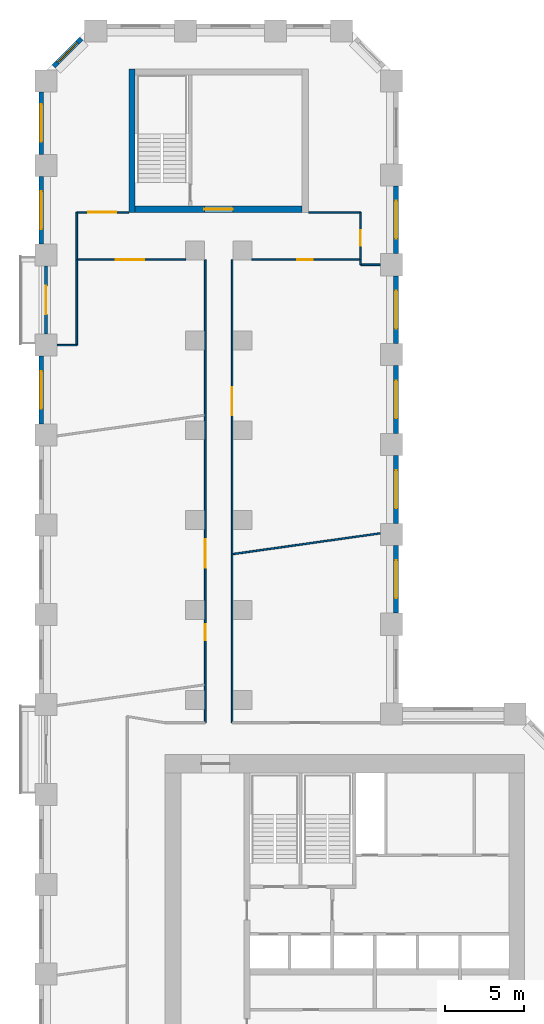
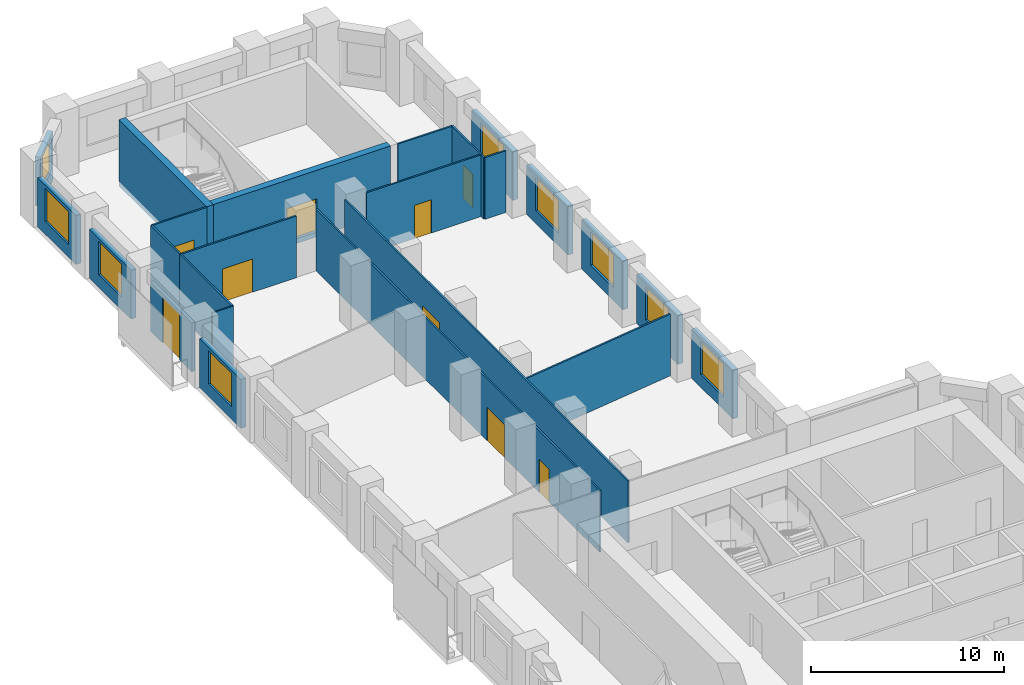
# One storey, part 9 of 12: 25 walls, 9 doors, 9 windows, 18 openings.
"""IFC4 building model written with IfcOpenShell, lengths in metres."""

from ifc_helpers import new_model, si_unit, direction, frame, frame_2d, origin, place, context, subcontext, project, spatial, rectangle, extrude, material, layer, layer_set, type_object, element, fill, save


model = new_model("IFC4")

# Units and contexts
model_context = context("Model", 3, precision=1e-05, world=origin(), true_north=direction((0.0, 1.0)))
body_context = subcontext(model_context, "Body", "Model", "MODEL_VIEW")
ifc_project = project(units=[si_unit("LENGTHUNIT", "METRE"), si_unit("AREAUNIT", "SQUARE_METRE"), si_unit("VOLUMEUNIT", "CUBIC_METRE"), si_unit("PLANEANGLEUNIT", "RADIAN"), si_unit("MASSUNIT", "GRAM", prefix="KILO")], contexts=[model_context])

# Site, building, storey
site_placement = place(None, origin())
site = spatial("IfcSite", under=ifc_project, at=site_placement, CompositionType="ELEMENT")
building_placement = place(site_placement, origin())
building = spatial("IfcBuilding", under=site, at=building_placement, Name="Meshkara Civic Tower", CompositionType="ELEMENT")
storey_placement = place(building_placement, frame((0.0, 0.0, 58.199951171875)))
storey = spatial("IfcBuildingStorey", under=building, at=storey_placement, Name="L12", CompositionType="ELEMENT", Elevation=58.199951171875)

# Wall, opening, door
ifc_material_1 = material(Name="Corridor wall 100")
ifc_layer_1 = layer(ifc_material_1, 0.10009765625)
ifc_layer_set_1 = layer_set([ifc_layer_1], Name="Corridor wall 100")
wall_type_1 = type_object("IfcWallType", Name="Corridor wall 100", PredefinedType="PARTITIONING", material=ifc_layer_set_1)
wall_1_placement = place(storey_placement, frame((2.39990234375, 68.27001953125, 0.0), z_axis=(0.0, 0.0, 1.0), x_axis=(1.0, 0.0, 0.0)))
wall_1 = element("IfcWall", 1, at=wall_1_placement, inside=storey, type_object=wall_type_1, Name="L12-W001", PredefinedType="PARTITIONING", context=body_context, shape_type="SweptSolid", body=[
    extrude(rectangle(XDim=6.900146484375, YDim=0.10009765625, at=frame_2d((3.4501953125, 0.0))), origin(), (0.0, 0.0, 1.0), 3.900146484375),
])
opening_1_placement = place(wall_1_placement, frame((2.47998046875, 0.0, 0.0)))
opening_1 = element("IfcOpeningElement", 2, at=opening_1_placement, cuts=wall_1, Name="Opening L12-D024", PredefinedType="OPENING", context=body_context, shape_type="SweptSolid", body=[
    extrude(rectangle(XDim=1.800048828125, YDim=2.10009765625, at=frame_2d((0.89990234375, 1.050048828125))), frame((0.0, 0.06005859375, 0.0), z_axis=(0.0, -1.0, 0.0), x_axis=(1.0, 0.0, 0.0)), (0.0, 0.0, 1.0), 0.1201171875),
])
ifc_material_2 = material(Name="Door pair 1800 x 2100")
door_type_1 = type_object("IfcDoorType", Name="Door pair 1800 x 2100", OperationType="SINGLE_SWING_LEFT", PredefinedType="DOOR", material=ifc_material_2)
door_1_placement = place(opening_1_placement, origin())
door_1 = element("IfcDoor", 3, at=door_1_placement, inside=storey, type_object=door_type_1, Name="L12-D024", OperationType="DOUBLE_DOOR_SINGLE_SWING", OverallHeight=2.10009765625, OverallWidth=1.800048828125, PredefinedType="DOOR", context=body_context, shape_type="SweptSolid", body=[
    extrude(rectangle(XDim=1.800048828125, YDim=2.10009765625, at=frame_2d((0.89990234375, 1.050048828125))), frame((0.0, 0.02490234375, 0.0), z_axis=(0.0, -1.0, 0.0), x_axis=(1.0, 0.0, 0.0)), (0.0, 0.0, 1.0), 0.050048828125),
])
fill(opening_1, door_1)

# Wall
wall_2_placement = place(storey_placement, frame((2.39990234375, 71.27001953125, 0.0), z_axis=(0.0, 0.0, 1.0), x_axis=(0.0, -1.0, 0.0)))
element("IfcWall", 4, at=wall_2_placement, inside=storey, type_object=wall_type_1, Name="L12-W002", PredefinedType="PARTITIONING", context=body_context, shape_type="SweptSolid", body=[
    extrude(rectangle(XDim=3.0, YDim=0.10009765625, at=frame_2d((1.5, 0.0))), origin(), (0.0, 0.0, 1.0), 3.900146484375),
])

# Wall, opening, door
wall_3_placement = place(storey_placement, frame((5.699951171875, 71.27001953125, 0.0), z_axis=(0.0, 0.0, 1.0), x_axis=(-1.0, 0.0, 0.0)))
wall_3 = element("IfcWall", 5, at=wall_3_placement, inside=storey, type_object=wall_type_1, Name="L12-W005", PredefinedType="PARTITIONING", context=body_context, shape_type="SweptSolid", body=[
    extrude(rectangle(XDim=3.300048828125, YDim=0.10009765625, at=frame_2d((1.64990234375, 0.0))), origin(), (0.0, 0.0, 1.0), 3.900146484375),
])
opening_2_placement = place(wall_3_placement, frame((0.780029296875, 0.0, 0.0)))
opening_2 = element("IfcOpeningElement", 6, at=opening_2_placement, cuts=wall_3, Name="Opening L12-D023", PredefinedType="OPENING", context=body_context, shape_type="SweptSolid", body=[
    extrude(rectangle(XDim=1.800048828125, YDim=2.10009765625, at=frame_2d((0.89990234375, 1.050048828125))), frame((0.0, 0.06005859375, 0.0), z_axis=(0.0, -1.0, 0.0), x_axis=(1.0, 0.0, 0.0)), (0.0, 0.0, 1.0), 0.1201171875),
])
door_2_placement = place(opening_2_placement, origin())
door_2 = element("IfcDoor", 7, at=door_2_placement, inside=storey, type_object=door_type_1, Name="L12-D023", OperationType="DOUBLE_DOOR_SINGLE_SWING", OverallHeight=2.10009765625, OverallWidth=1.800048828125, PredefinedType="DOOR", context=body_context, shape_type="SweptSolid", body=[
    extrude(rectangle(XDim=1.800048828125, YDim=2.10009765625, at=frame_2d((0.89990234375, 1.050048828125))), frame((0.0, 0.02490234375, 0.0), z_axis=(0.0, -1.0, 0.0), x_axis=(1.0, 0.0, 0.0)), (0.0, 0.0, 1.0), 0.050048828125),
])
fill(opening_2, door_2)

# Wall, openings, doors
wall_4_placement = place(storey_placement, frame((10.550048828125, 68.27001953125, 0.0), z_axis=(0.0, 0.0, 1.0), x_axis=(0.0, -1.0, 0.0)))
wall_4 = element("IfcWall", 8, at=wall_4_placement, inside=storey, type_object=wall_type_1, Name="L12-W013", PredefinedType="PARTITIONING", context=body_context, shape_type="SweptSolid", body=[
    extrude(rectangle(XDim=29.3701171875, YDim=0.10009765625, at=frame_2d((14.68505859375, 0.0))), origin(), (0.0, 0.0, 1.0), 3.900146484375),
])
opening_3_placement = place(wall_4_placement, frame((23.136962890625, 0.0, 0.0)))
opening_3 = element("IfcOpeningElement", 9, at=opening_3_placement, cuts=wall_4, Name="Opening L12-D020", PredefinedType="OPENING", context=body_context, shape_type="SweptSolid", body=[
    extrude(rectangle(XDim=1.0, YDim=2.10009765625, at=frame_2d((0.5, 1.050048828125))), frame((0.0, 0.06005859375, 0.0), z_axis=(0.0, -1.0, 0.0), x_axis=(1.0, 0.0, 0.0)), (0.0, 0.0, 1.0), 0.1201171875),
])
opening_4_placement = place(wall_4_placement, frame((17.737060546875, 0.0, 0.0)))
opening_4 = element("IfcOpeningElement", 10, at=opening_4_placement, cuts=wall_4, Name="Opening L12-D021", PredefinedType="OPENING", context=body_context, shape_type="SweptSolid", body=[
    extrude(rectangle(XDim=1.800048828125, YDim=2.10009765625, at=frame_2d((0.89990234375, 1.050048828125))), frame((0.0, 0.06005859375, 0.0), z_axis=(0.0, -1.0, 0.0), x_axis=(1.0, 0.0, 0.0)), (0.0, 0.0, 1.0), 0.1201171875),
])
ifc_material_3 = material(Name="Door 1000 x 2100")
door_type_2 = type_object("IfcDoorType", Name="Door 1000 x 2100", OperationType="SINGLE_SWING_LEFT", PredefinedType="DOOR", material=ifc_material_3)
door_3_placement = place(opening_3_placement, origin())
door_3 = element("IfcDoor", 11, at=door_3_placement, inside=storey, type_object=door_type_2, Name="L12-D020", OperationType="SINGLE_SWING_LEFT", OverallHeight=2.10009765625, OverallWidth=1.0, PredefinedType="DOOR", context=body_context, shape_type="SweptSolid", body=[
    extrude(rectangle(XDim=1.0, YDim=2.10009765625, at=frame_2d((0.5, 1.050048828125))), frame((0.0, 0.02490234375, 0.0), z_axis=(0.0, -1.0, 0.0), x_axis=(1.0, 0.0, 0.0)), (0.0, 0.0, 1.0), 0.050048828125),
])
fill(opening_3, door_3)
door_4_placement = place(opening_4_placement, origin())
door_4 = element("IfcDoor", 12, at=door_4_placement, inside=storey, type_object=door_type_1, Name="L12-D021", OperationType="DOUBLE_DOOR_SINGLE_SWING", OverallHeight=2.10009765625, OverallWidth=1.800048828125, PredefinedType="DOOR", context=body_context, shape_type="SweptSolid", body=[
    extrude(rectangle(XDim=1.800048828125, YDim=2.10009765625, at=frame_2d((0.89990234375, 1.050048828125))), frame((0.0, 0.02490234375, 0.0), z_axis=(0.0, -1.0, 0.0), x_axis=(1.0, 0.0, 0.0)), (0.0, 0.0, 1.0), 0.050048828125),
])
fill(opening_4, door_4)

# Wall, opening, door
wall_5_placement = place(storey_placement, frame((12.25, 68.27001953125, 0.0), z_axis=(0.0, 0.0, 1.0), x_axis=(0.0, -1.0, 0.0)))
wall_5 = element("IfcWall", 13, at=wall_5_placement, inside=storey, type_object=wall_type_1, Name="L12-W014", PredefinedType="PARTITIONING", context=body_context, shape_type="SweptSolid", body=[
    extrude(rectangle(XDim=29.3701171875, YDim=0.10009765625, at=frame_2d((14.68505859375, 0.0))), origin(), (0.0, 0.0, 1.0), 3.900146484375),
])
opening_5_placement = place(wall_5_placement, frame((8.080078125, 0.0, 0.0)))
opening_5 = element("IfcOpeningElement", 14, at=opening_5_placement, cuts=wall_5, Name="Opening L12-D022", PredefinedType="OPENING", context=body_context, shape_type="SweptSolid", body=[
    extrude(rectangle(XDim=1.800048828125, YDim=2.10009765625, at=frame_2d((0.89990234375, 1.050048828125))), frame((0.0, 0.06005859375, 0.0), z_axis=(0.0, -1.0, 0.0), x_axis=(1.0, 0.0, 0.0)), (0.0, 0.0, 1.0), 0.1201171875),
])
door_5_placement = place(opening_5_placement, origin())
door_5 = element("IfcDoor", 15, at=door_5_placement, inside=storey, type_object=door_type_1, Name="L12-D022", OperationType="DOUBLE_DOOR_SINGLE_SWING", OverallHeight=2.10009765625, OverallWidth=1.800048828125, PredefinedType="DOOR", context=body_context, shape_type="SweptSolid", body=[
    extrude(rectangle(XDim=1.800048828125, YDim=2.10009765625, at=frame_2d((0.89990234375, 1.050048828125))), frame((0.0, 0.02490234375, 0.0), z_axis=(0.0, -1.0, 0.0), x_axis=(1.0, 0.0, 0.0)), (0.0, 0.0, 1.0), 0.050048828125),
])
fill(opening_5, door_5)

wall_6_placement = place(storey_placement, frame((13.5, 68.27001953125, 0.0), z_axis=(0.0, 0.0, 1.0), x_axis=(1.0, 0.0, 0.0)))
wall_6 = element("IfcWall", 16, at=wall_6_placement, inside=storey, type_object=wall_type_1, Name="L12-W016", PredefinedType="PARTITIONING", context=body_context, shape_type="SweptSolid", body=[
    extrude(rectangle(XDim=6.89990234375, YDim=0.10009765625, at=frame_2d((3.449951171875, 0.0))), origin(), (0.0, 0.0, 1.0), 3.900146484375),
])
opening_6_placement = place(wall_6_placement, frame((2.8798828125, 0.0, 0.0)))
opening_6 = element("IfcOpeningElement", 17, at=opening_6_placement, cuts=wall_6, Name="Opening L12-D025", PredefinedType="OPENING", context=body_context, shape_type="SweptSolid", body=[
    extrude(rectangle(XDim=1.0, YDim=2.10009765625, at=frame_2d((0.5, 1.050048828125))), frame((0.0, 0.06005859375, 0.0), z_axis=(0.0, -1.0, 0.0), x_axis=(1.0, 0.0, 0.0)), (0.0, 0.0, 1.0), 0.1201171875),
])
door_6_placement = place(opening_6_placement, origin())
door_6 = element("IfcDoor", 18, at=door_6_placement, inside=storey, type_object=door_type_2, Name="L12-D025", OperationType="SINGLE_SWING_RIGHT", OverallHeight=2.10009765625, OverallWidth=1.0, PredefinedType="DOOR", context=body_context, shape_type="SweptSolid", body=[
    extrude(rectangle(XDim=1.0, YDim=2.10009765625, at=frame_2d((0.5, 1.050048828125))), frame((0.0, 0.02490234375, 0.0), z_axis=(0.0, -1.0, 0.0), x_axis=(1.0, 0.0, 0.0)), (0.0, 0.0, 1.0), 0.050048828125),
])
fill(opening_6, door_6)

wall_7_placement = place(storey_placement, frame((20.39990234375, 68.27001953125, 0.0), z_axis=(0.0, 0.0, 1.0), x_axis=(0.0, 1.0, 0.0)))
wall_7 = element("IfcWall", 19, at=wall_7_placement, inside=storey, type_object=wall_type_1, Name="L12-W017", PredefinedType="PARTITIONING", context=body_context, shape_type="SweptSolid", body=[
    extrude(rectangle(XDim=3.0, YDim=0.10009765625, at=frame_2d((1.5, 0.0))), origin(), (0.0, 0.0, 1.0), 3.900146484375),
])
opening_7_placement = place(wall_7_placement, frame((0.8798828125, 0.0, 0.0)))
opening_7 = element("IfcOpeningElement", 20, at=opening_7_placement, cuts=wall_7, Name="Opening L12-D026", PredefinedType="OPENING", context=body_context, shape_type="SweptSolid", body=[
    extrude(rectangle(XDim=1.0, YDim=2.10009765625, at=frame_2d((0.5, 1.050048828125))), frame((0.0, 0.06005859375, 0.0), z_axis=(0.0, -1.0, 0.0), x_axis=(1.0, 0.0, 0.0)), (0.0, 0.0, 1.0), 0.1201171875),
])
door_7_placement = place(opening_7_placement, origin())
door_7 = element("IfcDoor", 21, at=door_7_placement, inside=storey, type_object=door_type_2, Name="L12-D026", OperationType="SINGLE_SWING_RIGHT", OverallHeight=2.10009765625, OverallWidth=1.0, PredefinedType="DOOR", context=body_context, shape_type="SweptSolid", body=[
    extrude(rectangle(XDim=1.0, YDim=2.10009765625, at=frame_2d((0.5, 1.050048828125))), frame((0.0, 0.02490234375, 0.0), z_axis=(0.0, -1.0, 0.0), x_axis=(1.0, 0.0, 0.0)), (0.0, 0.0, 1.0), 0.050048828125),
])
fill(opening_7, door_7)

# Wall
wall_8_placement = place(storey_placement, frame((20.39990234375, 71.27001953125, 0.0), z_axis=(0.0, 0.0, 1.0), x_axis=(-1.0, 0.0, 0.0)))
element("IfcWall", 22, at=wall_8_placement, inside=storey, type_object=wall_type_1, Name="L12-W018", PredefinedType="PARTITIONING", context=body_context, shape_type="SweptSolid", body=[
    extrude(rectangle(XDim=3.2998046875, YDim=0.10009765625, at=frame_2d((1.64990234375, 0.0))), origin(), (0.0, 0.0, 1.0), 3.900146484375),
])

# Wall, opening, window
ifc_material_4 = material(Name="Insulated infill panel with bronze anodised aluminium cladding", Category="aluminium")
ifc_layer_2 = layer(ifc_material_4, 0.300048828125)
ifc_layer_set_2 = layer_set([ifc_layer_2], Name="EXTERNAL INFILL WALL 300")
wall_type_2 = type_object("IfcWallType", Name="EXTERNAL INFILL WALL 300", PredefinedType="SOLIDWALL", material=ifc_layer_set_2)
wall_9_placement = place(storey_placement, frame((22.64990234375, 45.85009765625, 0.0), z_axis=(0.0, 0.0, 1.0), x_axis=(0.0, 1.0, 0.0)))
wall_9 = element("IfcWall", 23, at=wall_9_placement, inside=storey, type_object=wall_type_2, Name="External wall", PredefinedType="SOLIDWALL", context=body_context, shape_type="SweptSolid", body=[
    extrude(rectangle(XDim=4.2998046875, YDim=0.300048828125, at=frame_2d((2.14990234375, 0.0))), origin(), (0.0, 0.0, 1.0), 3.10009765625),
])
opening_8_placement = place(wall_9_placement, frame((0.949951171875, 0.0, 0.800048828125)))
opening_8 = element("IfcOpeningElement", 24, at=opening_8_placement, cuts=wall_9, Name="Opening W7", PredefinedType="OPENING", context=body_context, shape_type="SweptSolid", body=[
    extrude(rectangle(XDim=2.39990234375, YDim=2.10009765625, at=frame_2d((1.199951171875, 1.050048828125))), frame((0.0, 0.159912109375, 0.0), z_axis=(0.0, -1.0, 0.0), x_axis=(1.0, 0.0, 0.0)), (0.0, 0.0, 1.0), 0.320068359375),
])
ifc_material_5 = material(Name="Tinted double glazing", Category="glass")
window_type_1 = type_object("IfcWindowType", Name="WINDOW 2400x2100", PartitioningType="DOUBLE_PANEL_VERTICAL", PredefinedType="WINDOW", material=ifc_material_5)
window_1_placement = place(opening_8_placement, origin())
window_1 = element("IfcWindow", 25, at=window_1_placement, inside=storey, type_object=window_type_1, Name="Window", OverallHeight=2.10009765625, OverallWidth=2.39990234375, PartitioningType="DOUBLE_PANEL_VERTICAL", PredefinedType="WINDOW", context=body_context, shape_type="SweptSolid", body=[
    extrude(rectangle(XDim=2.39990234375, YDim=2.10009765625, at=frame_2d((1.199951171875, 1.050048828125))), frame((0.0, 0.030029296875, 0.0), z_axis=(0.0, -1.0, 0.0), x_axis=(1.0, 0.0, 0.0)), (0.0, 0.0, 1.0), 0.06005859375),
])
fill(opening_8, window_1)

wall_10_placement = place(storey_placement, frame((22.64990234375, 51.550048828125, 0.0), z_axis=(0.0, 0.0, 1.0), x_axis=(0.0, 1.0, 0.0)))
wall_10 = element("IfcWall", 26, at=wall_10_placement, inside=storey, type_object=wall_type_2, Name="External wall", PredefinedType="SOLIDWALL", context=body_context, shape_type="SweptSolid", body=[
    extrude(rectangle(XDim=4.300048828125, YDim=0.300048828125, at=frame_2d((2.14990234375, 0.0))), origin(), (0.0, 0.0, 1.0), 3.10009765625),
])
opening_9_placement = place(wall_10_placement, frame((0.949951171875, 0.0, 0.800048828125)))
opening_9 = element("IfcOpeningElement", 27, at=opening_9_placement, cuts=wall_10, Name="Opening W7", PredefinedType="OPENING", context=body_context, shape_type="SweptSolid", body=[
    extrude(rectangle(XDim=2.39990234375, YDim=2.10009765625, at=frame_2d((1.199951171875, 1.050048828125))), frame((0.0, 0.159912109375, 0.0), z_axis=(0.0, -1.0, 0.0), x_axis=(1.0, 0.0, 0.0)), (0.0, 0.0, 1.0), 0.320068359375),
])
window_2_placement = place(opening_9_placement, origin())
window_2 = element("IfcWindow", 28, at=window_2_placement, inside=storey, type_object=window_type_1, Name="Window", OverallHeight=2.10009765625, OverallWidth=2.39990234375, PartitioningType="DOUBLE_PANEL_VERTICAL", PredefinedType="WINDOW", context=body_context, shape_type="SweptSolid", body=[
    extrude(rectangle(XDim=2.39990234375, YDim=2.10009765625, at=frame_2d((1.199951171875, 1.050048828125))), frame((0.0, 0.030029296875, 0.0), z_axis=(0.0, -1.0, 0.0), x_axis=(1.0, 0.0, 0.0)), (0.0, 0.0, 1.0), 0.06005859375),
])
fill(opening_9, window_2)

wall_11_placement = place(storey_placement, frame((22.64990234375, 57.25, 0.0), z_axis=(0.0, 0.0, 1.0), x_axis=(0.0, 1.0, 0.0)))
wall_11 = element("IfcWall", 29, at=wall_11_placement, inside=storey, type_object=wall_type_2, Name="External wall", PredefinedType="SOLIDWALL", context=body_context, shape_type="SweptSolid", body=[
    extrude(rectangle(XDim=4.300048828125, YDim=0.300048828125, at=frame_2d((2.14990234375, 0.0))), origin(), (0.0, 0.0, 1.0), 3.10009765625),
])
opening_10_placement = place(wall_11_placement, frame((0.949951171875, 0.0, 0.800048828125)))
opening_10 = element("IfcOpeningElement", 30, at=opening_10_placement, cuts=wall_11, Name="Opening W7", PredefinedType="OPENING", context=body_context, shape_type="SweptSolid", body=[
    extrude(rectangle(XDim=2.39990234375, YDim=2.10009765625, at=frame_2d((1.199951171875, 1.050048828125))), frame((0.0, 0.159912109375, 0.0), z_axis=(0.0, -1.0, 0.0), x_axis=(1.0, 0.0, 0.0)), (0.0, 0.0, 1.0), 0.320068359375),
])
window_3_placement = place(opening_10_placement, origin())
window_3 = element("IfcWindow", 31, at=window_3_placement, inside=storey, type_object=window_type_1, Name="Window", OverallHeight=2.10009765625, OverallWidth=2.39990234375, PartitioningType="DOUBLE_PANEL_VERTICAL", PredefinedType="WINDOW", context=body_context, shape_type="SweptSolid", body=[
    extrude(rectangle(XDim=2.39990234375, YDim=2.10009765625, at=frame_2d((1.199951171875, 1.050048828125))), frame((0.0, 0.030029296875, 0.0), z_axis=(0.0, -1.0, 0.0), x_axis=(1.0, 0.0, 0.0)), (0.0, 0.0, 1.0), 0.06005859375),
])
fill(opening_10, window_3)

wall_12_placement = place(storey_placement, frame((22.64990234375, 62.949951171875, 0.0), z_axis=(0.0, 0.0, 1.0), x_axis=(0.0, 1.0, 0.0)))
wall_12 = element("IfcWall", 32, at=wall_12_placement, inside=storey, type_object=wall_type_2, Name="External wall", PredefinedType="SOLIDWALL", context=body_context, shape_type="SweptSolid", body=[
    extrude(rectangle(XDim=4.300048828125, YDim=0.300048828125, at=frame_2d((2.14990234375, 0.0))), origin(), (0.0, 0.0, 1.0), 3.10009765625),
])
opening_11_placement = place(wall_12_placement, frame((0.949951171875, 0.0, 0.800048828125)))
opening_11 = element("IfcOpeningElement", 33, at=opening_11_placement, cuts=wall_12, Name="Opening W7", PredefinedType="OPENING", context=body_context, shape_type="SweptSolid", body=[
    extrude(rectangle(XDim=2.39990234375, YDim=2.10009765625, at=frame_2d((1.199951171875, 1.050048828125))), frame((0.0, 0.159912109375, 0.0), z_axis=(0.0, -1.0, 0.0), x_axis=(1.0, 0.0, 0.0)), (0.0, 0.0, 1.0), 0.320068359375),
])
window_4_placement = place(opening_11_placement, origin())
window_4 = element("IfcWindow", 34, at=window_4_placement, inside=storey, type_object=window_type_1, Name="Window", OverallHeight=2.10009765625, OverallWidth=2.39990234375, PartitioningType="DOUBLE_PANEL_VERTICAL", PredefinedType="WINDOW", context=body_context, shape_type="SweptSolid", body=[
    extrude(rectangle(XDim=2.39990234375, YDim=2.10009765625, at=frame_2d((1.199951171875, 1.050048828125))), frame((0.0, 0.030029296875, 0.0), z_axis=(0.0, -1.0, 0.0), x_axis=(1.0, 0.0, 0.0)), (0.0, 0.0, 1.0), 0.06005859375),
])
fill(opening_11, window_4)

wall_13_placement = place(storey_placement, frame((22.64990234375, 68.64990234375, 0.0), z_axis=(0.0, 0.0, 1.0), x_axis=(0.0, 1.0, 0.0)))
wall_13 = element("IfcWall", 35, at=wall_13_placement, inside=storey, type_object=wall_type_2, Name="External wall", PredefinedType="SOLIDWALL", context=body_context, shape_type="SweptSolid", body=[
    extrude(rectangle(XDim=4.300048828125, YDim=0.300048828125, at=frame_2d((2.14990234375, 0.0))), origin(), (0.0, 0.0, 1.0), 3.10009765625),
])
opening_12_placement = place(wall_13_placement, frame((0.949951171875, 0.0, 0.800048828125)))
opening_12 = element("IfcOpeningElement", 36, at=opening_12_placement, cuts=wall_13, Name="Opening W7", PredefinedType="OPENING", context=body_context, shape_type="SweptSolid", body=[
    extrude(rectangle(XDim=2.39990234375, YDim=2.10009765625, at=frame_2d((1.199951171875, 1.050048828125))), frame((0.0, 0.159912109375, 0.0), z_axis=(0.0, -1.0, 0.0), x_axis=(1.0, 0.0, 0.0)), (0.0, 0.0, 1.0), 0.320068359375),
])
window_5_placement = place(opening_12_placement, origin())
window_5 = element("IfcWindow", 37, at=window_5_placement, inside=storey, type_object=window_type_1, Name="Window", OverallHeight=2.10009765625, OverallWidth=2.39990234375, PartitioningType="DOUBLE_PANEL_VERTICAL", PredefinedType="WINDOW", context=body_context, shape_type="SweptSolid", body=[
    extrude(rectangle(XDim=2.39990234375, YDim=2.10009765625, at=frame_2d((1.199951171875, 1.050048828125))), frame((0.0, 0.030029296875, 0.0), z_axis=(0.0, -1.0, 0.0), x_axis=(1.0, 0.0, 0.0)), (0.0, 0.0, 1.0), 0.06005859375),
])
fill(opening_12, window_5)

wall_14_placement = place(storey_placement, frame((2.694091796875, 82.281982421875, 0.0), z_axis=(0.0, 0.0, 1.0), x_axis=(-0.707106781187, -0.707106781187, 0.0)))
wall_14 = element("IfcWall", 38, at=wall_14_placement, inside=storey, type_object=wall_type_2, Name="External wall", PredefinedType="SOLIDWALL", context=body_context, shape_type="SweptSolid", body=[
    extrude(rectangle(XDim=2.4833984375, YDim=0.300048828125, at=frame_2d((1.24169921875, 0.0))), origin(), (0.0, 0.0, 1.0), 3.10009765625),
])
opening_13_placement = place(wall_14_placement, frame((0.342041015625, 0.0, 0.800048828125)))
opening_13 = element("IfcOpeningElement", 39, at=opening_13_placement, cuts=wall_14, Name="Opening W9", PredefinedType="OPENING", context=body_context, shape_type="SweptSolid", body=[
    extrude(rectangle(XDim=1.800048828125, YDim=2.10009765625, at=frame_2d((0.89990234375, 1.050048828125))), frame((0.0, 0.159912109375, 0.0), z_axis=(0.0, -1.0, 0.0), x_axis=(1.0, 0.0, 0.0)), (0.0, 0.0, 1.0), 0.320068359375),
])
ifc_material_6 = material(Name="Tinted double glazing", Category="glass")
window_type_2 = type_object("IfcWindowType", Name="WINDOW 1800x2100", PartitioningType="DOUBLE_PANEL_VERTICAL", PredefinedType="WINDOW", material=ifc_material_6)
window_6_placement = place(opening_13_placement, origin())
window_6 = element("IfcWindow", 40, at=window_6_placement, inside=storey, type_object=window_type_2, Name="Window", OverallHeight=2.10009765625, OverallWidth=1.800048828125, PartitioningType="DOUBLE_PANEL_VERTICAL", PredefinedType="WINDOW", context=body_context, shape_type="SweptSolid", body=[
    extrude(rectangle(XDim=1.800048828125, YDim=2.10009765625, at=frame_2d((0.89990234375, 1.050048828125))), frame((0.0, 0.030029296875, 0.0), z_axis=(0.0, -1.0, 0.0), x_axis=(1.0, 0.0, 0.0)), (0.0, 0.0, 1.0), 0.06005859375),
])
fill(opening_13, window_6)

wall_15_placement = place(storey_placement, frame((0.14990234375, 78.9140625, 0.0), z_axis=(0.0, 0.0, 1.0), x_axis=(0.0, -1.0, 0.0)))
wall_15 = element("IfcWall", 41, at=wall_15_placement, inside=storey, type_object=wall_type_2, Name="External wall", PredefinedType="SOLIDWALL", context=body_context, shape_type="SweptSolid", body=[
    extrude(rectangle(XDim=3.958984375, YDim=0.300048828125, at=frame_2d((1.9794921875, 0.0))), origin(), (0.0, 0.0, 1.0), 3.10009765625),
])
opening_14_placement = place(wall_15_placement, frame((0.780029296875, 0.0, 0.800048828125)))
opening_14 = element("IfcOpeningElement", 42, at=opening_14_placement, cuts=wall_15, Name="Opening W7", PredefinedType="OPENING", context=body_context, shape_type="SweptSolid", body=[
    extrude(rectangle(XDim=2.39990234375, YDim=2.10009765625, at=frame_2d((1.199951171875, 1.050048828125))), frame((0.0, 0.159912109375, 0.0), z_axis=(0.0, -1.0, 0.0), x_axis=(1.0, 0.0, 0.0)), (0.0, 0.0, 1.0), 0.320068359375),
])
window_7_placement = place(opening_14_placement, origin())
window_7 = element("IfcWindow", 43, at=window_7_placement, inside=storey, type_object=window_type_1, Name="Window", OverallHeight=2.10009765625, OverallWidth=2.39990234375, PartitioningType="DOUBLE_PANEL_VERTICAL", PredefinedType="WINDOW", context=body_context, shape_type="SweptSolid", body=[
    extrude(rectangle(XDim=2.39990234375, YDim=2.10009765625, at=frame_2d((1.199951171875, 1.050048828125))), frame((0.0, 0.030029296875, 0.0), z_axis=(0.0, -1.0, 0.0), x_axis=(1.0, 0.0, 0.0)), (0.0, 0.0, 1.0), 0.06005859375),
])
fill(opening_14, window_7)

wall_16_placement = place(storey_placement, frame((0.14990234375, 73.554931640625, 0.0), z_axis=(0.0, 0.0, 1.0), x_axis=(0.0, -1.0, 0.0)))
wall_16 = element("IfcWall", 44, at=wall_16_placement, inside=storey, type_object=wall_type_2, Name="External wall", PredefinedType="SOLIDWALL", context=body_context, shape_type="SweptSolid", body=[
    extrude(rectangle(XDim=4.300048828125, YDim=0.300048828125, at=frame_2d((2.14990234375, 0.0))), origin(), (0.0, 0.0, 1.0), 3.10009765625),
])
opening_15_placement = place(wall_16_placement, frame((0.949951171875, 0.0, 0.800048828125)))
opening_15 = element("IfcOpeningElement", 45, at=opening_15_placement, cuts=wall_16, Name="Opening W7", PredefinedType="OPENING", context=body_context, shape_type="SweptSolid", body=[
    extrude(rectangle(XDim=2.39990234375, YDim=2.10009765625, at=frame_2d((1.199951171875, 1.050048828125))), frame((0.0, 0.159912109375, 0.0), z_axis=(0.0, -1.0, 0.0), x_axis=(1.0, 0.0, 0.0)), (0.0, 0.0, 1.0), 0.320068359375),
])
window_8_placement = place(opening_15_placement, origin())
window_8 = element("IfcWindow", 46, at=window_8_placement, inside=storey, type_object=window_type_1, Name="Window", OverallHeight=2.10009765625, OverallWidth=2.39990234375, PartitioningType="DOUBLE_PANEL_VERTICAL", PredefinedType="WINDOW", context=body_context, shape_type="SweptSolid", body=[
    extrude(rectangle(XDim=2.39990234375, YDim=2.10009765625, at=frame_2d((1.199951171875, 1.050048828125))), frame((0.0, 0.030029296875, 0.0), z_axis=(0.0, -1.0, 0.0), x_axis=(1.0, 0.0, 0.0)), (0.0, 0.0, 1.0), 0.06005859375),
])
fill(opening_15, window_8)

wall_17_placement = place(storey_placement, frame((0.14990234375, 62.155029296875, 0.0), z_axis=(0.0, 0.0, 1.0), x_axis=(0.0, -1.0, 0.0)))
wall_17 = element("IfcWall", 47, at=wall_17_placement, inside=storey, type_object=wall_type_2, Name="External wall", PredefinedType="SOLIDWALL", context=body_context, shape_type="SweptSolid", body=[
    extrude(rectangle(XDim=4.300048828125, YDim=0.300048828125, at=frame_2d((2.14990234375, 0.0))), origin(), (0.0, 0.0, 1.0), 3.10009765625),
])
opening_16_placement = place(wall_17_placement, frame((0.949951171875, 0.0, 0.800048828125)))
opening_16 = element("IfcOpeningElement", 48, at=opening_16_placement, cuts=wall_17, Name="Opening W7", PredefinedType="OPENING", context=body_context, shape_type="SweptSolid", body=[
    extrude(rectangle(XDim=2.39990234375, YDim=2.10009765625, at=frame_2d((1.199951171875, 1.050048828125))), frame((0.0, 0.159912109375, 0.0), z_axis=(0.0, -1.0, 0.0), x_axis=(1.0, 0.0, 0.0)), (0.0, 0.0, 1.0), 0.320068359375),
])
window_9_placement = place(opening_16_placement, origin())
window_9 = element("IfcWindow", 49, at=window_9_placement, inside=storey, type_object=window_type_1, Name="Window", OverallHeight=2.10009765625, OverallWidth=2.39990234375, PartitioningType="DOUBLE_PANEL_VERTICAL", PredefinedType="WINDOW", context=body_context, shape_type="SweptSolid", body=[
    extrude(rectangle(XDim=2.39990234375, YDim=2.10009765625, at=frame_2d((1.199951171875, 1.050048828125))), frame((0.0, 0.030029296875, 0.0), z_axis=(0.0, -1.0, 0.0), x_axis=(1.0, 0.0, 0.0)), (0.0, 0.0, 1.0), 0.06005859375),
])
fill(opening_16, window_9)

# Wall
ifc_material_7 = material(Name="Concrete C80", Category="concrete")
ifc_layer_3 = layer(ifc_material_7, 0.39990234375)
ifc_layer_set_3 = layer_set([ifc_layer_3], Name="End core ring wall 400 C80")
wall_type_3 = type_object("IfcWallType", Name="End core ring wall 400 C80", PredefinedType="SHEAR", material=ifc_layer_set_3)
wall_18_placement = place(storey_placement, frame((5.89990234375, 71.27001953125, -0.300048828125), z_axis=(0.0, 0.0, 1.0), x_axis=(0.0, 1.0, 0.0)))
element("IfcWall", 50, at=wall_18_placement, inside=storey, type_object=wall_type_3, Name="L12-C026", PredefinedType="SHEAR", context=body_context, shape_type="SweptSolid", body=[
    extrude(rectangle(XDim=9.10009765625, YDim=0.39990234375, at=frame_2d((4.550048828125, 0.0))), origin(), (0.0, 0.0, 1.0), 4.2001953125),
])

# Wall, opening, door
wall_19_placement = place(storey_placement, frame((6.10009765625, 71.469970703125, -0.300048828125), z_axis=(0.0, 0.0, 1.0), x_axis=(1.0, 0.0, 0.0)))
wall_19 = element("IfcWall", 51, at=wall_19_placement, inside=storey, type_object=wall_type_3, Name="L12-C028", PredefinedType="SHEAR", context=body_context, shape_type="SweptSolid", body=[
    extrude(rectangle(XDim=10.599853515625, YDim=0.39990234375, at=frame_2d((5.2998046875, 0.0))), origin(), (0.0, 0.0, 1.0), 4.2001953125),
])
opening_17_placement = place(wall_19_placement, frame((4.39990234375, 0.0, 0.300048828125)))
opening_17 = element("IfcOpeningElement", 52, at=opening_17_placement, cuts=wall_19, Name="Opening L12-K102", PredefinedType="OPENING", context=body_context, shape_type="SweptSolid", body=[
    extrude(rectangle(XDim=1.800048828125, YDim=2.10009765625, at=frame_2d((0.89990234375, 1.050048828125))), frame((0.0, 0.2099609375, 0.0), z_axis=(0.0, -1.0, 0.0), x_axis=(1.0, 0.0, 0.0)), (0.0, 0.0, 1.0), 0.419921875),
])
ifc_material_8 = material(Name="Fire-rated door leaf in steel frame", Category="steel")
door_type_3 = type_object("IfcDoorType", Name="Core double door 1800 EI 60", OperationType="DOUBLE_DOOR_SINGLE_SWING", PredefinedType="DOOR", material=ifc_material_8)
door_8_placement = place(opening_17_placement, origin())
door_8 = element("IfcDoor", 53, at=door_8_placement, inside=storey, type_object=door_type_3, Name="L12-K102", OperationType="DOUBLE_DOOR_SINGLE_SWING", OverallHeight=2.10009765625, OverallWidth=1.800048828125, PredefinedType="DOOR", context=body_context, shape_type="SweptSolid", body=[
    extrude(rectangle(XDim=1.800048828125, YDim=2.10009765625, at=frame_2d((0.89990234375, 1.050048828125))), frame((0.0, 0.02490234375, 0.0), z_axis=(0.0, -1.0, 0.0), x_axis=(1.0, 0.0, 0.0)), (0.0, 0.0, 1.0), 0.050048828125),
])
fill(opening_17, door_8)

ifc_material_9 = material(Name="Insulated infill panel with bronze anodised aluminium cladding", Category="aluminium")
ifc_layer_4 = layer(ifc_material_9, 0.199951171875)
ifc_layer_set_4 = layer_set([ifc_layer_4], Name="LOGGIA BACK WALL 200")
wall_type_4 = type_object("IfcWallType", Name="LOGGIA BACK WALL 200", PredefinedType="SOLIDWALL", material=ifc_layer_set_4)
wall_20_placement = place(storey_placement, frame((0.449951171875, 67.85498046875, 0.0), z_axis=(0.0, 0.0, 1.0), x_axis=(0.0, -1.0, 0.0)))
wall_20 = element("IfcWall", 54, at=wall_20_placement, inside=storey, type_object=wall_type_4, Name="Loggia wall", PredefinedType="SOLIDWALL", context=body_context, shape_type="SweptSolid", body=[
    extrude(rectangle(XDim=4.300048828125, YDim=0.199951171875, at=frame_2d((2.14990234375, 0.0))), origin(), (0.0, 0.0, 1.0), 3.10009765625),
])
opening_18_placement = place(wall_20_placement, frame((1.25, 0.0, 0.0)))
opening_18 = element("IfcOpeningElement", 55, at=opening_18_placement, cuts=wall_20, Name="Opening L12-L001", PredefinedType="OPENING", context=body_context, shape_type="SweptSolid", body=[
    extrude(rectangle(XDim=1.800048828125, YDim=2.89990234375, at=frame_2d((0.89990234375, 1.449951171875))), frame((0.0, 0.10986328125, 0.0), z_axis=(0.0, -1.0, 0.0), x_axis=(1.0, 0.0, 0.0)), (0.0, 0.0, 1.0), 0.219970703125),
])
ifc_material_10 = material(Name="Tinted double glazing", Category="glass")
door_type_4 = type_object("IfcDoorType", Name="LOGGIA DOOR 1800x2900", OperationType="DOUBLE_DOOR_SINGLE_SWING", PredefinedType="DOOR", material=ifc_material_10)
door_9_placement = place(opening_18_placement, origin())
door_9 = element("IfcDoor", 56, at=door_9_placement, inside=storey, type_object=door_type_4, Name="L12-L001", OperationType="DOUBLE_DOOR_SINGLE_SWING", OverallHeight=2.89990234375, OverallWidth=1.800048828125, PredefinedType="DOOR", context=body_context, shape_type="SweptSolid", body=[
    extrude(rectangle(XDim=1.800048828125, YDim=2.89990234375, at=frame_2d((0.89990234375, 1.449951171875))), frame((0.0, 0.02490234375, 0.0), z_axis=(0.0, -1.0, 0.0), x_axis=(1.0, 0.0, 0.0)), (0.0, 0.0, 1.0), 0.050048828125),
])
fill(opening_18, door_9)

# Walls
ifc_material_11 = material(Name="Partition 100")
ifc_layer_5 = layer(ifc_material_11, 0.10009765625)
ifc_layer_set_5 = layer_set([ifc_layer_5], Name="Partition 100")
wall_type_5 = type_object("IfcWallType", Name="Partition 100", PredefinedType="PARTITIONING", material=ifc_layer_set_5)
wall_21_placement = place(storey_placement, frame((2.39990234375, 62.85498046875, 0.0), z_axis=(0.0, 0.0, 1.0), x_axis=(-1.0, 0.0, 0.0)))
element("IfcWall", 57, at=wall_21_placement, inside=storey, type_object=wall_type_5, Name="L12-W032", PredefinedType="PARTITIONING", context=body_context, shape_type="SweptSolid", body=[
    extrude(rectangle(XDim=1.25, YDim=0.10009765625, at=frame_2d((0.625, 0.0))), origin(), (0.0, 0.0, 1.0), 3.900146484375),
])
wall_22_placement = place(storey_placement, frame((2.39990234375, 68.27392578125, 0.0), z_axis=(0.0, 0.0, 1.0), x_axis=(0.0, -1.0, 0.0)))
element("IfcWall", 58, at=wall_22_placement, inside=storey, type_object=wall_type_5, Name="L12-W033", PredefinedType="PARTITIONING", context=body_context, shape_type="SweptSolid", body=[
    extrude(rectangle(XDim=5.4189453125, YDim=0.10009765625, at=frame_2d((2.70947265625, 0.0))), origin(), (0.0, 0.0, 1.0), 3.900146484375),
])
wall_23_placement = place(storey_placement, frame((20.39990234375, 67.949951171875, 0.0), z_axis=(0.0, 0.0, 1.0), x_axis=(0.0, 1.0, 0.0)))
element("IfcWall", 59, at=wall_23_placement, inside=storey, type_object=wall_type_5, Name="L12-W041", PredefinedType="PARTITIONING", context=body_context, shape_type="SweptSolid", body=[
    extrude(rectangle(XDim=0.323974609375, YDim=0.10009765625, at=frame_2d((0.162109375, 0.0))), origin(), (0.0, 0.0, 1.0), 3.900146484375),
])
wall_24_placement = place(storey_placement, frame((21.64990234375, 50.9140625, 0.0), z_axis=(0.0, 0.0, 1.0), x_axis=(-0.990255073415, -0.139265536207, 0.0)))
element("IfcWall", 60, at=wall_24_placement, inside=storey, type_object=wall_type_5, Name="L12-W045", PredefinedType="PARTITIONING", context=body_context, shape_type="SweptSolid", body=[
    extrude(rectangle(XDim=9.43505859375, YDim=0.10009765625, at=frame_2d((4.717529296875, 0.0))), origin(), (0.0, 0.0, 1.0), 3.900146484375),
])
wall_25_placement = place(storey_placement, frame((21.64990234375, 67.949951171875, 0.0), z_axis=(0.0, 0.0, 1.0), x_axis=(-1.0, 0.0, 0.0)))
element("IfcWall", 61, at=wall_25_placement, inside=storey, type_object=wall_type_5, Name="L12-W046", PredefinedType="PARTITIONING", context=body_context, shape_type="SweptSolid", body=[
    extrude(rectangle(XDim=1.25, YDim=0.10009765625, at=frame_2d((0.625, 0.0))), origin(), (0.0, 0.0, 1.0), 3.900146484375),
])

save(model, "model.ifc")
